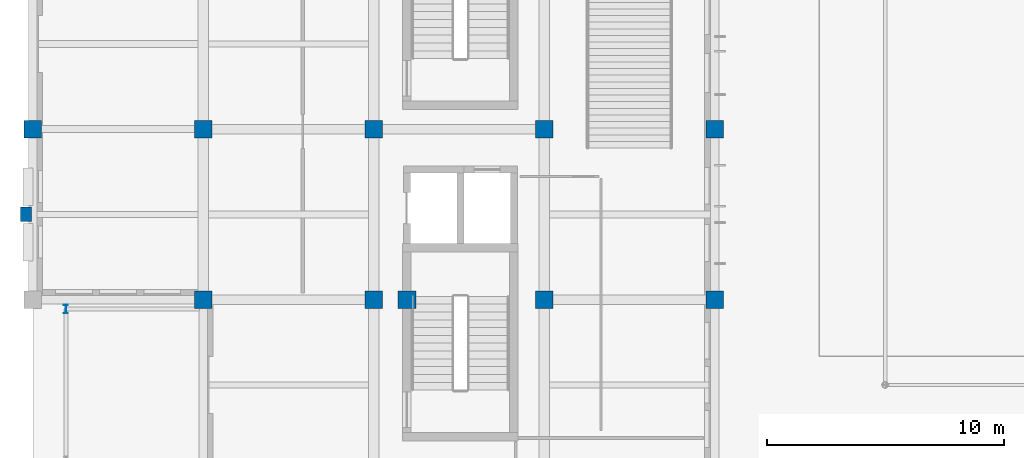
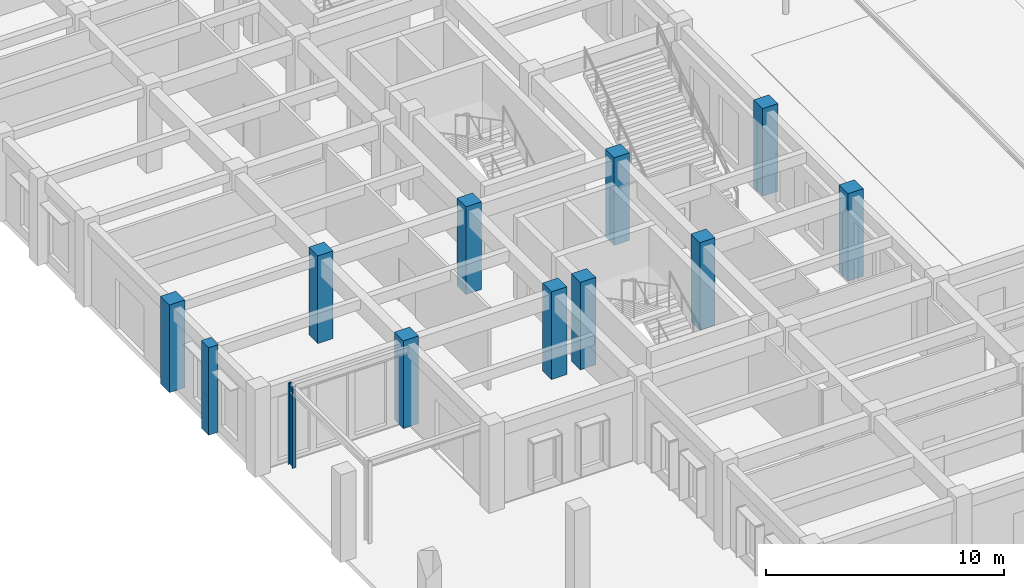
# One storey, part 3 of 43: 12 columns.
"""IFC4 building model written with IfcOpenShell, lengths in metres."""

from ifc_helpers import new_model, si_unit, direction, frame, origin, origin_2d, place, context, subcontext, project, spatial, rectangle, i_section, extrude, material, material_profile, profile_set, type_object, element, save


model = new_model("IFC4")

# Units and contexts
model_context = context("Model", 3, precision=1e-05, world=origin(), true_north=direction((0.0, 1.0)))
body_context = subcontext(model_context, "Body", "Model", "MODEL_VIEW")
ifc_project = project(units=[si_unit("LENGTHUNIT", "METRE"), si_unit("AREAUNIT", "SQUARE_METRE"), si_unit("VOLUMEUNIT", "CUBIC_METRE"), si_unit("PLANEANGLEUNIT", "RADIAN"), si_unit("MASSUNIT", "GRAM", prefix="KILO")], contexts=[model_context])

# Site, building, storey
site_placement = place(None, origin())
site = spatial("IfcSite", under=ifc_project, at=site_placement, CompositionType="ELEMENT")
building_placement = place(site_placement, origin())
building = spatial("IfcBuilding", under=site, at=building_placement, Name="Alvorim Cloister Faculty of Sciences", CompositionType="ELEMENT")
storey_placement = place(building_placement, origin())
storey = spatial("IfcBuildingStorey", under=building, at=storey_placement, Name="L00", CompositionType="ELEMENT", Elevation=0.0)

# Columns
ifc_material_1 = material(Name="Concrete C40", Category="concrete")
ifc_material_profile_1 = material_profile(ifc_material_1, rectangle(XDim=0.75, YDim=0.75, at=origin_2d()), Name="RC40-COL-750x750")
ifc_profile_set_1 = profile_set([ifc_material_profile_1], Name="Concrete C40")
column_type_1 = type_object("IfcColumnType", Name="COL-RC-750", PredefinedType="COLUMN", material=ifc_profile_set_1)
for number, where, z_axis, x_axis, name in (
    (1, (0.0, 28.800048828125, 0.0), (0.0, 0.0, 1.0), (1.0, 0.0, 0.0), "L00 Column COL-0204"),
    (2, (7.199951171875, 21.60009765625, 0.0), (0.0, 0.0, 1.0), (1.0, 0.0, 0.0), "L00 Column COL-0220"),
    (3, (7.199951171875, 28.800048828125, 0.0), (0.0, 0.0, 1.0), (1.0, 0.0, 0.0), "L00 Column COL-0221"),
    (4, (14.39990234375, 21.60009765625, 0.0), (0.0, 0.0, 1.0), (1.0, 0.0, 0.0), "L00 Column COL-0237"),
    (5, (14.39990234375, 28.800048828125, 0.0), (0.0, 0.0, 1.0), (1.0, 0.0, 0.0), "L00 Column COL-0238"),
    (6, (15.800048828125, 21.60009765625, 0.0), (0.0, 0.0, 1.0), (1.0, 0.0, 0.0), "L00 Column COL-0251"),
    (7, (21.60009765625, 21.60009765625, 0.0), (0.0, 0.0, 1.0), (1.0, 0.0, 0.0), "L00 Column COL-0257"),
    (8, (21.60009765625, 28.800048828125, 0.0), (0.0, 0.0, 1.0), (1.0, 0.0, 0.0), "L00 Column COL-0258"),
    (9, (28.800048828125, 21.60009765625, 0.0), (0.0, 0.0, 1.0), (1.0, 0.0, 0.0), "L00 Column COL-0274"),
    (10, (28.800048828125, 28.800048828125, 0.0), (0.0, 0.0, 1.0), (1.0, 0.0, 0.0), "L00 Column COL-0275"),
):
    element("IfcColumn", number, at=place(storey_placement, frame(where, z_axis=z_axis, x_axis=x_axis)), inside=storey, type_object=column_type_1, Name=name, PredefinedType="COLUMN", context=body_context, shape_type="SweptSolid", body=[
        extrude(rectangle(XDim=0.75, YDim=0.75, at=origin_2d()), origin(), (0.0, 0.0, 1.0), 4.5),
    ])
ifc_material_2 = material(Name="Steel ASTM A572 Grade 50", Category="steel")
ifc_material_profile_2 = material_profile(ifc_material_2, i_section(OverallWidth=0.1708984375, OverallDepth=0.35498046875, WebThickness=0.007080078125, FlangeThickness=0.01171875, FilletRadius=0.012939453125, at=origin_2d()), Name="W360x51.0")
ifc_profile_set_2 = profile_set([ifc_material_profile_2], Name="Steel ASTM A572 Grade 50")
column_type_2 = type_object("IfcColumnType", Name="COL-STL-W360", PredefinedType="COLUMN", material=ifc_profile_set_2)
column_1_placement = place(storey_placement, frame((1.39990234375, 21.199951171875, 0.0), z_axis=(0.0, 0.0, 1.0), x_axis=(1.0, 0.0, 0.0)))
element("IfcColumn", 11, at=column_1_placement, inside=storey, type_object=column_type_2, Name="Canopy and Arcade Column COL-1110", PredefinedType="COLUMN", context=body_context, shape_type="SweptSolid", body=[
    extrude(i_section(OverallWidth=0.1708984375, OverallDepth=0.35498046875, WebThickness=0.007080078125, FlangeThickness=0.01171875, FilletRadius=0.012939453125, at=origin_2d()), origin(), (0.0, 0.0, 1.0), 4.199951171875),
])
ifc_material_3 = material(Name="Maua Grey Granite Stone", Category="masonry")
ifc_material_profile_3 = material_profile(ifc_material_3, rectangle(XDim=0.4599609375, YDim=0.6201171875, at=origin_2d()), Name="GRN-PIER-460x620")
ifc_profile_set_3 = profile_set([ifc_material_profile_3], Name="Maua Grey Granite Stone")
column_type_3 = type_object("IfcColumnType", Name="PIL-GRN-460x620", PredefinedType="PILASTER", material=ifc_profile_set_3)
column_2_placement = place(storey_placement, frame((-0.280029296875, 25.199951171875, 0.0), z_axis=(0.0, 0.0, 1.0), x_axis=(1.0, 0.0, 0.0)))
element("IfcColumn", 12, at=column_2_placement, inside=storey, type_object=column_type_3, Name="L00 Gothic Buttress Pier COL-1122", PredefinedType="PILASTER", context=body_context, shape_type="SweptSolid", body=[
    extrude(rectangle(XDim=0.4599609375, YDim=0.6201171875, at=origin_2d()), origin(), (0.0, 0.0, 1.0), 4.5),
])

save(model, "model.ifc")
